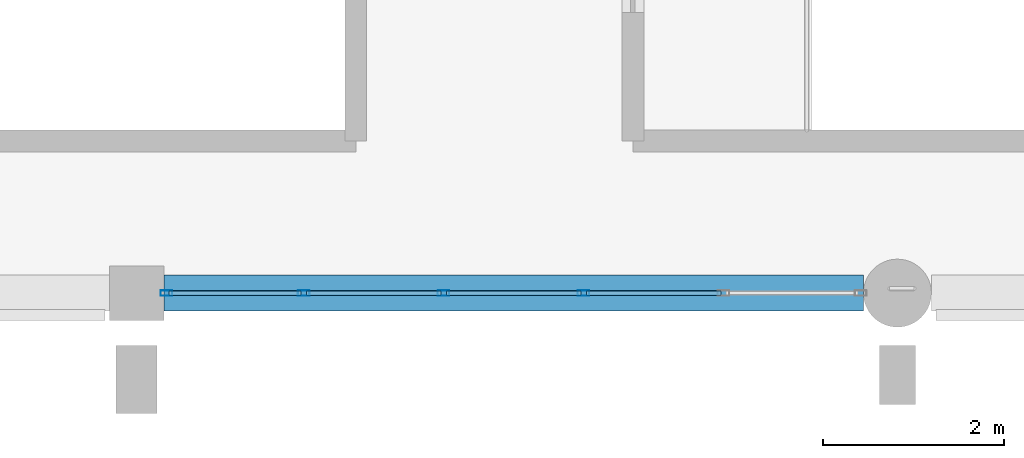
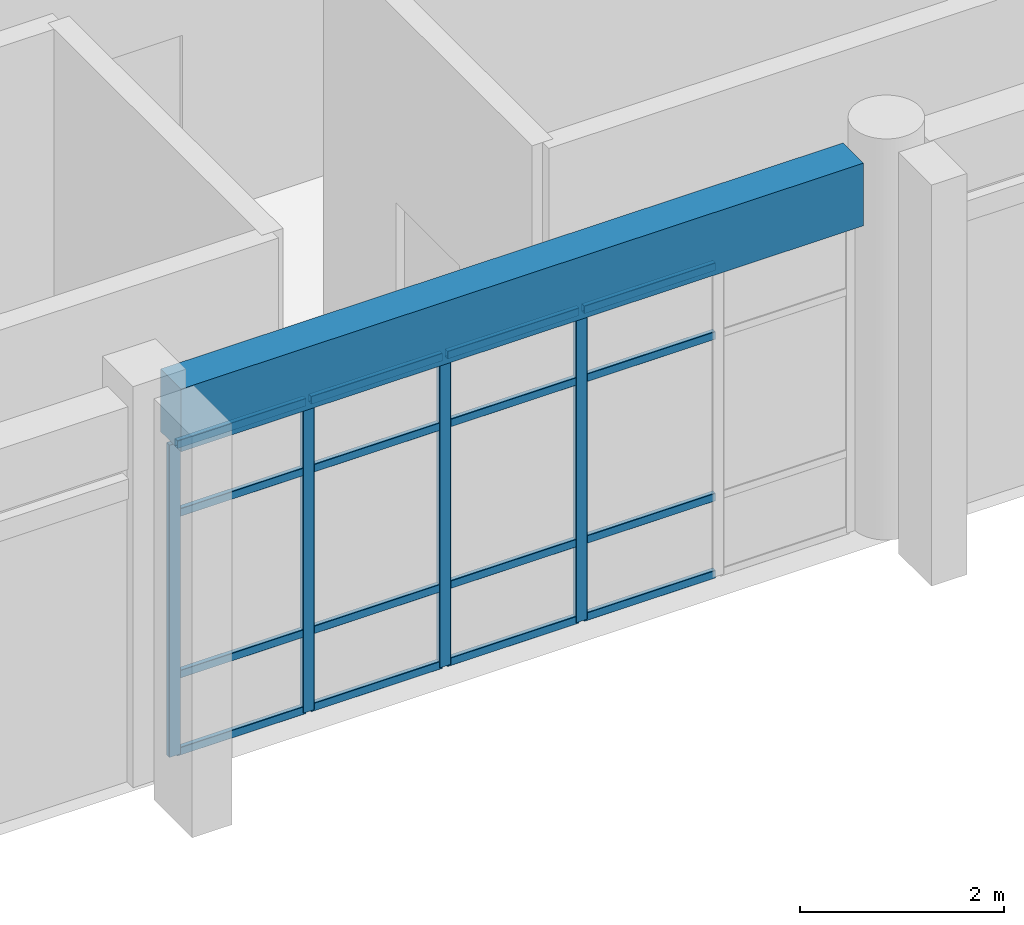
# One storey, part 8 of 139: 20 members, 1 beam, 1 element without a shape of its own.
"""IFC4 building model written with IfcOpenShell, lengths in metres."""

import ifcopenshell
import ifcopenshell.guid

model = None  # the IFC model being written
_history = None  # IfcOwnerHistory: only IFC2X3 demands one
_inside = {}  # id of a spatial element -> (the spatial element, [elements in it])
_under = {}  # id of a project, library or spatial element -> (it, [spatial elements below it])
_declared = {}  # id of a project -> (the project, [libraries it declares])
_typed = {}  # id of a type object -> (the type object, [elements of that type])
_made_of = {}  # id of a material, layer set ... -> (it, [elements and type objects made of it])


def new_model(schema):
    """Start an empty IFC model of exactly this schema.

    Asked for "IFC4X3", IfcOpenShell would pick the latest addendum, in which some entities
    have other attributes; the version numbers below select the first issue.
    IFC2X3 requires an IfcOwnerHistory on every rooted entity: one is made here for all.
    """
    global model, _history
    if schema == "IFC4X3":
        model = ifcopenshell.file(schema_version=(4, 3, 0, 0))
    else:
        model = ifcopenshell.file(schema=schema)
    _inside.clear()
    _under.clear()
    _declared.clear()
    _typed.clear()
    _made_of.clear()
    _history = None
    if model.schema == "IFC2X3":
        org = make("IfcOrganization", Name="unknown")
        user = make(
            "IfcPersonAndOrganization",
            ThePerson=make("IfcPerson", FamilyName="unknown"),
            TheOrganization=org,
        )
        app = make(
            "IfcApplication",
            ApplicationDeveloper=org,
            Version="unknown",
            ApplicationFullName="unknown",
            ApplicationIdentifier="unknown",
        )
        _history = make(
            "IfcOwnerHistory",
            OwningUser=user,
            OwningApplication=app,
            ChangeAction="ADDED",
            CreationDate=0,
        )
    return model


def make(cls, **values):
    """One entity of the class cls with the attributes given. An attribute that is None is left unset."""
    return model.create_entity(
        cls, **{name: value for name, value in values.items() if value is not None}
    )


def rooted(cls, **values):
    """An entity with a GlobalId (a new one), such as an element, a storey or a relation."""
    return make(cls, GlobalId=ifcopenshell.guid.new(), OwnerHistory=_history, **values)


def si_unit(unit_type, name, prefix=None):
    """IfcSIUnit, for example si_unit("LENGTHUNIT", "METRE", prefix="MILLI")."""
    return make("IfcSIUnit", UnitType=unit_type, Prefix=prefix, Name=name)


def assignment(units):
    """IfcUnitAssignment: the units of a project."""
    return None if units is None else make("IfcUnitAssignment", Units=units)


def point(xyz):
    """IfcCartesianPoint."""
    return None if xyz is None else make("IfcCartesianPoint", Coordinates=xyz)


def direction(xyz):
    """IfcDirection."""
    return None if xyz is None else make("IfcDirection", DirectionRatios=xyz)


def frame(location, z_axis=None, x_axis=None):
    """IfcAxis2Placement3D, a coordinate frame: its origin and axes. An axis left out is left unset."""
    return make(
        "IfcAxis2Placement3D",
        Location=point(location),
        Axis=direction(z_axis),
        RefDirection=direction(x_axis),
    )


def frame_2d(location, x_axis=None):
    """IfcAxis2Placement2D, a coordinate frame in the plane: its origin and x axis."""
    return make(
        "IfcAxis2Placement2D", Location=point(location), RefDirection=direction(x_axis)
    )


def origin():
    """The frame at (0, 0, 0) with its axes left unset."""
    return frame((0.0, 0.0, 0.0))


def origin_2d():
    """The frame at (0, 0) in the plane with its x axis left unset."""
    return frame_2d((0.0, 0.0))


def place(relative_to, where):
    """IfcLocalPlacement: puts the frame where relative to a parent placement (None: the world)."""
    return make(
        "IfcLocalPlacement", PlacementRelTo=relative_to, RelativePlacement=where
    )


def context(
    kind, dimensions, precision=None, world=None, true_north=None, identifier=None
):
    """IfcGeometricRepresentationContext, for example the 3D "Model" context."""
    return make(
        "IfcGeometricRepresentationContext",
        ContextIdentifier=identifier,
        ContextType=kind,
        CoordinateSpaceDimension=dimensions,
        Precision=precision,
        WorldCoordinateSystem=world,
        TrueNorth=true_north,
    )


def subcontext(parent, identifier, kind, view, scale=None):
    """IfcGeometricRepresentationSubContext, for example "Body" below "Model"."""
    return make(
        "IfcGeometricRepresentationSubContext",
        ContextIdentifier=identifier,
        ContextType=kind,
        ParentContext=parent,
        TargetScale=scale,
        TargetView=view,
    )


def project(units=None, contexts=None):
    """IfcProject with its units and contexts."""
    return rooted(
        "IfcProject",
        Name="project",
        RepresentationContexts=contexts,
        UnitsInContext=assignment(units),
    )


def spatial(cls, under=None, at=None, **own):
    """A site, building, storey or space (cls), placed at a placement, below another one or the project."""
    s = rooted(cls, ObjectPlacement=at, **own)
    if under is not None:
        _under.setdefault(under.id(), (under, []))[1].append(s)
    return s


def profile(cls, at=None, kind="AREA", **sizes):
    """A parametric profile (cls). Its sizes go by their IFC names, for example OverallWidth=200.0."""
    return make(cls, ProfileType=kind, Position=at, **sizes)


def rectangle(**sizes):
    """IfcRectangleProfileDef."""
    return profile("IfcRectangleProfileDef", **sizes)


def hollow_rectangle(**sizes):
    """IfcRectangleHollowProfileDef."""
    return profile("IfcRectangleHollowProfileDef", **sizes)


def extrude(swept, where, along, depth):
    """IfcExtrudedAreaSolid: the profile swept, set in the frame where, extruded along a direction by depth."""
    return make(
        "IfcExtrudedAreaSolid",
        SweptArea=swept,
        Position=where,
        ExtrudedDirection=direction(along),
        Depth=depth,
    )


def shape(context_of_items, identifier, shape_type, items):
    """IfcShapeRepresentation: the items that make up one representation, for example the "Body"."""
    return make(
        "IfcShapeRepresentation",
        ContextOfItems=context_of_items,
        RepresentationIdentifier=identifier,
        RepresentationType=shape_type,
        Items=items,
    )


def material(Name=None, Category=None):
    """IfcMaterial."""
    return make("IfcMaterial", Name=Name, Category=Category)


def material_profile(
    of_material, cross_section, Name=None, Category=None, Priority=None
):
    """IfcMaterialProfile: a cross section and its material."""
    return make(
        "IfcMaterialProfile",
        Name=Name,
        Material=of_material,
        Profile=cross_section,
        Priority=Priority,
        Category=Category,
    )


def profile_set(profiles, Name=None, composite=None):
    """IfcMaterialProfileSet."""
    return make(
        "IfcMaterialProfileSet",
        Name=Name,
        MaterialProfiles=profiles,
        CompositeProfile=composite,
    )


def made_of(thing, what):
    """Note that an element or type object is made of a material, layer set ...; save() writes the relation."""
    if what is not None:
        _made_of.setdefault(what.id(), (what, []))[1].append(thing)
    return thing


def type_object(cls, material=None, **own):
    """A type object (cls), such as IfcWallType, which elements share."""
    return made_of(rooted(cls, **own), material)


def element(
    cls,
    number,
    at=None,
    inside=None,
    cuts=None,
    type_object=None,
    material=None,
    context=None,
    identifier="Body",
    shape_type=None,
    held_by="IfcProductDefinitionShape",
    body=None,
    shapes=None,
    **own,
):
    """One element of the class cls, such as IfcWall. Its Tag is "e" and its number.

    at: its placement. inside: the storey or other place that contains it. cuts: it is an
    opening in that element (IfcRelVoidsElement). A single representation is given by context,
    identifier, shape_type and body (its items); several are given by shapes. held_by: the class
    of the entity that holds the representations. save() writes the other relations.
    """
    e = rooted(cls, Tag="e%d" % number, ObjectPlacement=at, **own)
    if body is not None:
        shapes = [shape(context, identifier, shape_type, body)]
    if shapes is not None:
        e.Representation = make(held_by, Representations=shapes)
    if inside is not None:
        _inside.setdefault(inside.id(), (inside, []))[1].append(e)
    if cuts is not None:
        rooted(
            "IfcRelVoidsElement", RelatingBuildingElement=cuts, RelatedOpeningElement=e
        )
    if type_object is not None:
        _typed.setdefault(type_object.id(), (type_object, []))[1].append(e)
    return made_of(e, material)


def aggregate(whole, parts):
    """IfcRelAggregates: a whole, such as a stair, and the parts it consists of."""
    return rooted("IfcRelAggregates", RelatingObject=whole, RelatedObjects=parts)


def save(model, path):
    """Write the relations noted so far, then the file.

    IfcRelAggregates (storeys below a building ...), IfcRelContainedInSpatialStructure (elements
    in a storey), IfcRelDefinesByType, IfcRelAssociatesMaterial and IfcRelDeclares: one each for
    every whole, place, type object, material and project.
    """
    for whole, parts in _under.values():
        aggregate(whole, parts)
    for where, things in _inside.values():
        rooted(
            "IfcRelContainedInSpatialStructure",
            RelatedElements=things,
            RelatingStructure=where,
        )
    for kind, things in _typed.values():
        rooted("IfcRelDefinesByType", RelatedObjects=things, RelatingType=kind)
    for what, things in _made_of.values():
        rooted("IfcRelAssociatesMaterial", RelatedObjects=things, RelatingMaterial=what)
    for by, libraries in _declared.values():
        rooted("IfcRelDeclares", RelatingContext=by, RelatedDefinitions=libraries)
    model.write(path)


model = new_model("IFC4")

# Units and contexts
model_context = context("Model", 3, precision=1e-05, world=origin(), true_north=direction((0.0, 1.0)))
body_context = subcontext(model_context, "Body", "Model", "MODEL_VIEW")
ifc_project = project(units=[si_unit("LENGTHUNIT", "METRE"), si_unit("AREAUNIT", "SQUARE_METRE"), si_unit("VOLUMEUNIT", "CUBIC_METRE"), si_unit("PLANEANGLEUNIT", "RADIAN"), si_unit("MASSUNIT", "GRAM", prefix="KILO")], contexts=[model_context])

# Site, building, storey
site_placement = place(None, origin())
site = spatial("IfcSite", under=ifc_project, at=site_placement, CompositionType="ELEMENT")
building_placement = place(site_placement, origin())
building = spatial("IfcBuilding", under=site, at=building_placement, Name="Canglan Escarpment Cableway Terminal", CompositionType="ELEMENT")
storey_placement = place(building_placement, frame((0.0, 0.0, 14.39990234375)))
storey = spatial("IfcBuildingStorey", under=building, at=storey_placement, Name="L03", CompositionType="ELEMENT", Elevation=14.39990234375)

# Curtain wall, members
ifc_material_1 = material(Name="Anodized bronze aluminium and Low-E double glazing", Category="aluminium")
curtain_wall_type = type_object("IfcCurtainWallType", Name="CW-BAY-7725x3725", PredefinedType="NOTDEFINED", material=ifc_material_1)
curtain_wall_placement = place(storey_placement, origin())
curtain_wall = element("IfcCurtainWall", 1, at=curtain_wall_placement, inside=storey, type_object=curtain_wall_type, Name="Classical bay-between-piers glazed curtain wall CW-13", PredefinedType="NOTDEFINED")
ifc_material_2 = material(Name="Thermally broken anodized aluminium 6063-T6", Category="aluminium")
ifc_material_profile_1 = material_profile(ifc_material_2, hollow_rectangle(XDim=0.06005859375, YDim=0.1298828125, WallThickness=0.0029296875, InnerFilletRadius=0.0029296875, OuterFilletRadius=0.006103515625, at=origin_2d()), Name="ALU-MULL 60x130x3")
ifc_profile_set_1 = profile_set([ifc_material_profile_1], Name="Thermally broken anodized aluminium 6063-T6")
member_type_1 = type_object("IfcMemberType", Name="CWM-01", PredefinedType="MULLION", material=ifc_profile_set_1)
member_1_placement = place(storey_placement, frame((94.1298828125, 8.0, 0.0), z_axis=(0.0, 0.0, 1.0), x_axis=(0.0, 1.0, 0.0)))
member_1 = element("IfcMember", 2, at=member_1_placement, type_object=member_type_1, Name="CW-13 mullion 1", PredefinedType="MULLION", context=body_context, shape_type="SweptSolid", body=[
    extrude(hollow_rectangle(XDim=0.06005859375, YDim=0.1298828125, WallThickness=0.0029296875, InnerFilletRadius=0.0029296875, OuterFilletRadius=0.006103515625, at=origin_2d()), origin(), (0.0, 0.0, 1.0), 3.735107421875),
])
member_2_placement = place(storey_placement, frame((95.64501953125, 8.0, 0.0), z_axis=(0.0, 0.0, 1.0), x_axis=(0.0, 1.0, 0.0)))
member_2 = element("IfcMember", 3, at=member_2_placement, type_object=member_type_1, Name="CW-13 mullion 2", PredefinedType="MULLION", context=body_context, shape_type="SweptSolid", body=[
    extrude(hollow_rectangle(XDim=0.06005859375, YDim=0.1298828125, WallThickness=0.0029296875, InnerFilletRadius=0.0029296875, OuterFilletRadius=0.006103515625, at=origin_2d()), origin(), (0.0, 0.0, 1.0), 3.735107421875),
])
member_3_placement = place(storey_placement, frame((97.18994140625, 8.0, 0.0), z_axis=(0.0, 0.0, 1.0), x_axis=(0.0, 1.0, 0.0)))
member_3 = element("IfcMember", 4, at=member_3_placement, type_object=member_type_1, Name="CW-13 mullion 3", PredefinedType="MULLION", context=body_context, shape_type="SweptSolid", body=[
    extrude(hollow_rectangle(XDim=0.06005859375, YDim=0.1298828125, WallThickness=0.0029296875, InnerFilletRadius=0.0029296875, OuterFilletRadius=0.006103515625, at=origin_2d()), origin(), (0.0, 0.0, 1.0), 3.735107421875),
])
member_4_placement = place(storey_placement, frame((98.735107421875, 8.0, 0.0), z_axis=(0.0, 0.0, 1.0), x_axis=(0.0, 1.0, 0.0)))
member_4 = element("IfcMember", 5, at=member_4_placement, type_object=member_type_1, Name="CW-13 mullion 4", PredefinedType="MULLION", context=body_context, shape_type="SweptSolid", body=[
    extrude(hollow_rectangle(XDim=0.06005859375, YDim=0.1298828125, WallThickness=0.0029296875, InnerFilletRadius=0.0029296875, OuterFilletRadius=0.006103515625, at=origin_2d()), origin(), (0.0, 0.0, 1.0), 3.735107421875),
])
ifc_material_profile_2 = material_profile(ifc_material_2, hollow_rectangle(XDim=0.054931640625, YDim=0.094970703125, WallThickness=0.0029296875, InnerFilletRadius=0.0029296875, OuterFilletRadius=0.006103515625, at=origin_2d()), Name="ALU-TRAN 55x95x3")
ifc_profile_set_2 = profile_set([ifc_material_profile_2], Name="Thermally broken anodized aluminium 6063-T6")
member_type_2 = type_object("IfcMemberType", Name="CWT-01", PredefinedType="USERDEFINED", material=ifc_profile_set_2)
member_5_placement = place(storey_placement, frame((94.159912109375, 8.0, 0.027587890625), z_axis=(1.0, 0.0, 0.0), x_axis=(0.0, 1.0, 0.0)))
member_5 = element("IfcMember", 6, at=member_5_placement, type_object=member_type_2, Name="CW-13 transom 1.1", ObjectType="TRANSOM", PredefinedType="USERDEFINED", context=body_context, shape_type="SweptSolid", body=[
    extrude(hollow_rectangle(XDim=0.054931640625, YDim=0.094970703125, WallThickness=0.0029296875, InnerFilletRadius=0.0029296875, OuterFilletRadius=0.006103515625, at=origin_2d()), origin(), (0.0, 0.0, 1.0), 1.455078125),
])
member_6_placement = place(storey_placement, frame((94.159912109375, 8.0, 0.9501953125), z_axis=(1.0, 0.0, 0.0), x_axis=(0.0, 1.0, 0.0)))
member_6 = element("IfcMember", 7, at=member_6_placement, type_object=member_type_2, Name="CW-13 transom 1.2", ObjectType="TRANSOM", PredefinedType="USERDEFINED", context=body_context, shape_type="SweptSolid", body=[
    extrude(hollow_rectangle(XDim=0.054931640625, YDim=0.094970703125, WallThickness=0.0029296875, InnerFilletRadius=0.0029296875, OuterFilletRadius=0.006103515625, at=origin_2d()), origin(), (0.0, 0.0, 1.0), 1.455078125),
])
member_7_placement = place(storey_placement, frame((94.159912109375, 8.0, 2.885009765625), z_axis=(1.0, 0.0, 0.0), x_axis=(0.0, 1.0, 0.0)))
member_7 = element("IfcMember", 8, at=member_7_placement, type_object=member_type_2, Name="CW-13 transom 1.3", ObjectType="TRANSOM", PredefinedType="USERDEFINED", context=body_context, shape_type="SweptSolid", body=[
    extrude(hollow_rectangle(XDim=0.054931640625, YDim=0.094970703125, WallThickness=0.0029296875, InnerFilletRadius=0.0029296875, OuterFilletRadius=0.006103515625, at=origin_2d()), origin(), (0.0, 0.0, 1.0), 1.455078125),
])
member_8_placement = place(storey_placement, frame((94.159912109375, 8.0, 3.70751953125), z_axis=(1.0, 0.0, 0.0), x_axis=(0.0, 1.0, 0.0)))
member_8 = element("IfcMember", 9, at=member_8_placement, type_object=member_type_2, Name="CW-13 transom 1.4", ObjectType="TRANSOM", PredefinedType="USERDEFINED", context=body_context, shape_type="SweptSolid", body=[
    extrude(hollow_rectangle(XDim=0.054931640625, YDim=0.094970703125, WallThickness=0.0029296875, InnerFilletRadius=0.0029296875, OuterFilletRadius=0.006103515625, at=origin_2d()), origin(), (0.0, 0.0, 1.0), 1.455078125),
])
member_9_placement = place(storey_placement, frame((95.675048828125, 8.0, 0.027587890625), z_axis=(1.0, 0.0, 0.0), x_axis=(0.0, 1.0, 0.0)))
member_9 = element("IfcMember", 10, at=member_9_placement, type_object=member_type_2, Name="CW-13 transom 2.1", ObjectType="TRANSOM", PredefinedType="USERDEFINED", context=body_context, shape_type="SweptSolid", body=[
    extrude(hollow_rectangle(XDim=0.054931640625, YDim=0.094970703125, WallThickness=0.0029296875, InnerFilletRadius=0.0029296875, OuterFilletRadius=0.006103515625, at=origin_2d()), origin(), (0.0, 0.0, 1.0), 1.48486328125),
])
member_10_placement = place(storey_placement, frame((95.675048828125, 8.0, 0.9501953125), z_axis=(1.0, 0.0, 0.0), x_axis=(0.0, 1.0, 0.0)))
member_10 = element("IfcMember", 11, at=member_10_placement, type_object=member_type_2, Name="CW-13 transom 2.2", ObjectType="TRANSOM", PredefinedType="USERDEFINED", context=body_context, shape_type="SweptSolid", body=[
    extrude(hollow_rectangle(XDim=0.054931640625, YDim=0.094970703125, WallThickness=0.0029296875, InnerFilletRadius=0.0029296875, OuterFilletRadius=0.006103515625, at=origin_2d()), origin(), (0.0, 0.0, 1.0), 1.48486328125),
])
member_11_placement = place(storey_placement, frame((95.675048828125, 8.0, 2.885009765625), z_axis=(1.0, 0.0, 0.0), x_axis=(0.0, 1.0, 0.0)))
member_11 = element("IfcMember", 12, at=member_11_placement, type_object=member_type_2, Name="CW-13 transom 2.3", ObjectType="TRANSOM", PredefinedType="USERDEFINED", context=body_context, shape_type="SweptSolid", body=[
    extrude(hollow_rectangle(XDim=0.054931640625, YDim=0.094970703125, WallThickness=0.0029296875, InnerFilletRadius=0.0029296875, OuterFilletRadius=0.006103515625, at=origin_2d()), origin(), (0.0, 0.0, 1.0), 1.48486328125),
])
member_12_placement = place(storey_placement, frame((95.675048828125, 8.0, 3.70751953125), z_axis=(1.0, 0.0, 0.0), x_axis=(0.0, 1.0, 0.0)))
member_12 = element("IfcMember", 13, at=member_12_placement, type_object=member_type_2, Name="CW-13 transom 2.4", ObjectType="TRANSOM", PredefinedType="USERDEFINED", context=body_context, shape_type="SweptSolid", body=[
    extrude(hollow_rectangle(XDim=0.054931640625, YDim=0.094970703125, WallThickness=0.0029296875, InnerFilletRadius=0.0029296875, OuterFilletRadius=0.006103515625, at=origin_2d()), origin(), (0.0, 0.0, 1.0), 1.48486328125),
])
member_13_placement = place(storey_placement, frame((97.219970703125, 8.0, 0.027587890625), z_axis=(1.0, 0.0, 0.0), x_axis=(0.0, 1.0, 0.0)))
member_13 = element("IfcMember", 14, at=member_13_placement, type_object=member_type_2, Name="CW-13 transom 3.1", ObjectType="TRANSOM", PredefinedType="USERDEFINED", context=body_context, shape_type="SweptSolid", body=[
    extrude(hollow_rectangle(XDim=0.054931640625, YDim=0.094970703125, WallThickness=0.0029296875, InnerFilletRadius=0.0029296875, OuterFilletRadius=0.006103515625, at=origin_2d()), origin(), (0.0, 0.0, 1.0), 1.485107421875),
])
member_14_placement = place(storey_placement, frame((97.219970703125, 8.0, 0.9501953125), z_axis=(1.0, 0.0, 0.0), x_axis=(0.0, 1.0, 0.0)))
member_14 = element("IfcMember", 15, at=member_14_placement, type_object=member_type_2, Name="CW-13 transom 3.2", ObjectType="TRANSOM", PredefinedType="USERDEFINED", context=body_context, shape_type="SweptSolid", body=[
    extrude(hollow_rectangle(XDim=0.054931640625, YDim=0.094970703125, WallThickness=0.0029296875, InnerFilletRadius=0.0029296875, OuterFilletRadius=0.006103515625, at=origin_2d()), origin(), (0.0, 0.0, 1.0), 1.485107421875),
])
member_15_placement = place(storey_placement, frame((97.219970703125, 8.0, 2.885009765625), z_axis=(1.0, 0.0, 0.0), x_axis=(0.0, 1.0, 0.0)))
member_15 = element("IfcMember", 16, at=member_15_placement, type_object=member_type_2, Name="CW-13 transom 3.3", ObjectType="TRANSOM", PredefinedType="USERDEFINED", context=body_context, shape_type="SweptSolid", body=[
    extrude(hollow_rectangle(XDim=0.054931640625, YDim=0.094970703125, WallThickness=0.0029296875, InnerFilletRadius=0.0029296875, OuterFilletRadius=0.006103515625, at=origin_2d()), origin(), (0.0, 0.0, 1.0), 1.485107421875),
])
member_16_placement = place(storey_placement, frame((97.219970703125, 8.0, 3.70751953125), z_axis=(1.0, 0.0, 0.0), x_axis=(0.0, 1.0, 0.0)))
member_16 = element("IfcMember", 17, at=member_16_placement, type_object=member_type_2, Name="CW-13 transom 3.4", ObjectType="TRANSOM", PredefinedType="USERDEFINED", context=body_context, shape_type="SweptSolid", body=[
    extrude(hollow_rectangle(XDim=0.054931640625, YDim=0.094970703125, WallThickness=0.0029296875, InnerFilletRadius=0.0029296875, OuterFilletRadius=0.006103515625, at=origin_2d()), origin(), (0.0, 0.0, 1.0), 1.485107421875),
])
member_17_placement = place(storey_placement, frame((98.764892578125, 8.0, 0.027587890625), z_axis=(1.0, 0.0, 0.0), x_axis=(0.0, 1.0, 0.0)))
member_17 = element("IfcMember", 18, at=member_17_placement, type_object=member_type_2, Name="CW-13 transom 4.1", ObjectType="TRANSOM", PredefinedType="USERDEFINED", context=body_context, shape_type="SweptSolid", body=[
    extrude(hollow_rectangle(XDim=0.054931640625, YDim=0.094970703125, WallThickness=0.0029296875, InnerFilletRadius=0.0029296875, OuterFilletRadius=0.006103515625, at=origin_2d()), origin(), (0.0, 0.0, 1.0), 1.485107421875),
])
member_18_placement = place(storey_placement, frame((98.764892578125, 8.0, 0.9501953125), z_axis=(1.0, 0.0, 0.0), x_axis=(0.0, 1.0, 0.0)))
member_18 = element("IfcMember", 19, at=member_18_placement, type_object=member_type_2, Name="CW-13 transom 4.2", ObjectType="TRANSOM", PredefinedType="USERDEFINED", context=body_context, shape_type="SweptSolid", body=[
    extrude(hollow_rectangle(XDim=0.054931640625, YDim=0.094970703125, WallThickness=0.0029296875, InnerFilletRadius=0.0029296875, OuterFilletRadius=0.006103515625, at=origin_2d()), origin(), (0.0, 0.0, 1.0), 1.485107421875),
])
member_19_placement = place(storey_placement, frame((98.764892578125, 8.0, 2.885009765625), z_axis=(1.0, 0.0, 0.0), x_axis=(0.0, 1.0, 0.0)))
member_19 = element("IfcMember", 20, at=member_19_placement, type_object=member_type_2, Name="CW-13 transom 4.3", ObjectType="TRANSOM", PredefinedType="USERDEFINED", context=body_context, shape_type="SweptSolid", body=[
    extrude(hollow_rectangle(XDim=0.054931640625, YDim=0.094970703125, WallThickness=0.0029296875, InnerFilletRadius=0.0029296875, OuterFilletRadius=0.006103515625, at=origin_2d()), origin(), (0.0, 0.0, 1.0), 1.485107421875),
])
member_20_placement = place(storey_placement, frame((98.764892578125, 8.0, 3.70751953125), z_axis=(1.0, 0.0, 0.0), x_axis=(0.0, 1.0, 0.0)))
member_20 = element("IfcMember", 21, at=member_20_placement, type_object=member_type_2, Name="CW-13 transom 4.4", ObjectType="TRANSOM", PredefinedType="USERDEFINED", context=body_context, shape_type="SweptSolid", body=[
    extrude(hollow_rectangle(XDim=0.054931640625, YDim=0.094970703125, WallThickness=0.0029296875, InnerFilletRadius=0.0029296875, OuterFilletRadius=0.006103515625, at=origin_2d()), origin(), (0.0, 0.0, 1.0), 1.485107421875),
])
aggregate(curtain_wall, [member_1, member_2, member_3, member_4, member_5, member_6, member_7, member_8, member_9, member_10, member_11, member_12, member_13, member_14, member_15, member_16, member_17, member_18, member_19, member_20])

# Beam
ifc_material_3 = material(Name="Concrete C40", Category="concrete")
ifc_material_profile_3 = material_profile(ifc_material_3, rectangle(XDim=0.39990234375, YDim=0.75, at=origin_2d()), Name="RC 400x750")
ifc_profile_set_3 = profile_set([ifc_material_profile_3], Name="Concrete C40")
beam_type = type_object("IfcBeamType", Name="SP-RC400x750", PredefinedType="SPANDREL", material=ifc_profile_set_3)
beam_placement = place(storey_placement, frame((94.10009765625, 8.0, 4.125), z_axis=(1.0, 0.0, 0.0), x_axis=(0.0, 1.0, 0.0)))
element("IfcBeam", 22, at=beam_placement, inside=storey, type_object=beam_type, Name="Primary structural girder SP-01", PredefinedType="SPANDREL", context=body_context, shape_type="SweptSolid", body=[
    extrude(rectangle(XDim=0.39990234375, YDim=0.75, at=origin_2d()), origin(), (0.0, 0.0, 1.0), 7.724853515625),
])

save(model, "model.ifc")
